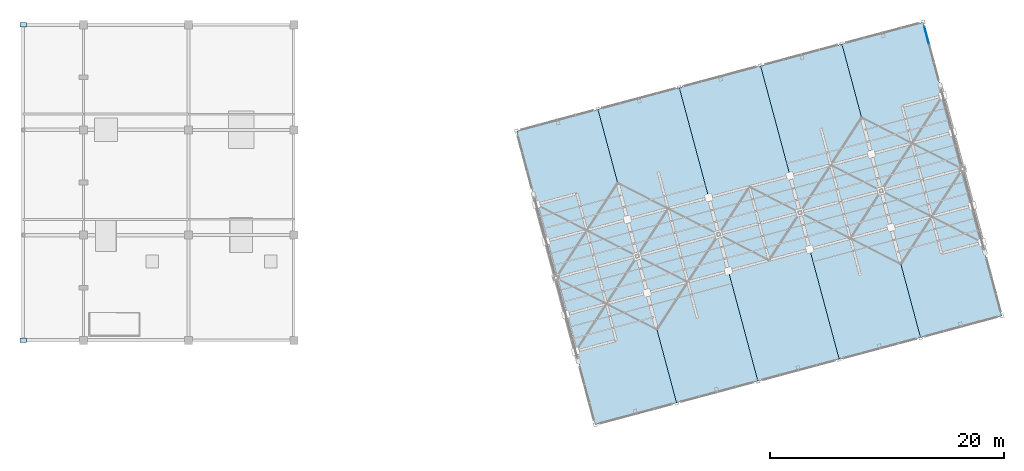
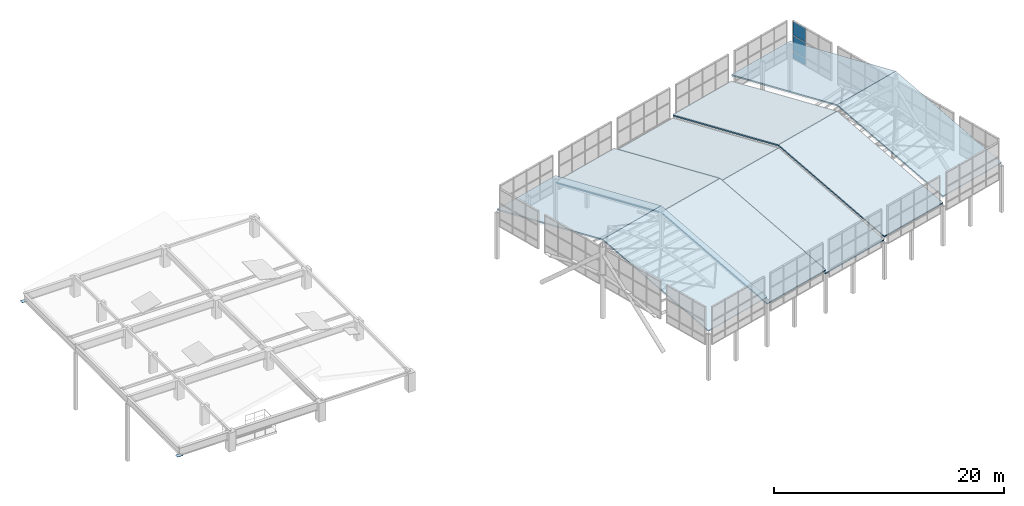
# One storey, part 27 of 28: 10 roofs, 5 plates, 1 element without a shape of its own.
"""IFC4 building model written with IfcOpenShell, lengths in metres."""

from ifc_helpers import new_model, si_unit, direction, frame, origin, origin_2d, place, context, subcontext, project, spatial, polyline, rectangle, outline, extrude, material, layer, layer_set, type_object, element, aggregate, save


model = new_model("IFC4")

# Units and contexts
model_context = context("Model", 3, precision=1e-05, world=origin(), true_north=direction((0.0, 1.0)))
body_context = subcontext(model_context, "Body", "Model", "MODEL_VIEW")
ifc_project = project(units=[si_unit("LENGTHUNIT", "METRE"), si_unit("AREAUNIT", "SQUARE_METRE"), si_unit("VOLUMEUNIT", "CUBIC_METRE"), si_unit("PLANEANGLEUNIT", "RADIAN"), si_unit("MASSUNIT", "GRAM", prefix="KILO")], contexts=[model_context])

# Site, building, storey
site_placement = place(None, origin())
site = spatial("IfcSite", under=ifc_project, at=site_placement, CompositionType="ELEMENT")
building_placement = place(site_placement, origin())
building = spatial("IfcBuilding", under=site, at=building_placement, Name="Ventoquebrada Cableway Terminal", CompositionType="ELEMENT")
storey_placement = place(building_placement, frame((0.0, 0.0, 23.39990234375)))
storey = spatial("IfcBuildingStorey", under=building, at=storey_placement, Name="RF", CompositionType="ELEMENT", Elevation=23.39990234375)

# Curtain wall, plates
ifc_material_1 = material(Name="Anodized thermally-broken aluminium", Category="aluminium")
ifc_layer_1 = layer(ifc_material_1, 0.159912109375)
ifc_layer_set_1 = layer_set([ifc_layer_1], Name="Anodized thermally-broken aluminium")
curtain_wall_type = type_object("IfcCurtainWallType", Name="CW-T49", PredefinedType="USERDEFINED", material=ifc_layer_set_1)
curtain_wall_placement = place(storey_placement, origin())
curtain_wall = element("IfcCurtainWall", 1, at=curtain_wall_placement, inside=storey, type_object=curtain_wall_type, Name="Unitised glazed curtain wall CW-168", ObjectType="UNITISED CURTAIN WALL", PredefinedType="USERDEFINED")
ifc_material_2 = material(Name="Double low-e laminated safety glazing", Category="glass")
ifc_layer_2 = layer(ifc_material_2, 0.031982421875)
ifc_layer_set_2 = layer_set([ifc_layer_2], Name="Double low-e laminated safety glazing")
plate_type_1 = type_object("IfcPlateType", Name="CWP-GL1", PredefinedType="CURTAIN_PANEL", material=ifc_layer_set_2)
plate_1_placement = place(storey_placement, frame((80.324951171875, 103.087890625, 2.48876953125), z_axis=(0.0, 0.0, 1.0), x_axis=(-0.258717892168, 0.96595292446, 0.0)))
plate_1 = element("IfcPlate", 2, at=plate_1_placement, type_object=plate_type_1, Name="Vision glazing panel PN-1746", PredefinedType="CURTAIN_PANEL", context=body_context, shape_type="SweptSolid", body=[
    extrude(rectangle(XDim=1.52099609375, YDim=0.031982421875, at=origin_2d()), origin(), (0.0, 0.0, 1.0), 1.447021484375),
])
ifc_layer_3 = layer(ifc_material_2, 0.0380859375)
ifc_layer_set_3 = layer_set([ifc_layer_3], Name="Double low-e laminated safety glazing")
plate_type_2 = type_object("IfcPlateType", Name="CWP-GL2", PredefinedType="CURTAIN_PANEL", material=ifc_layer_set_3)
plate_2_placement = place(storey_placement, frame((80.324951171875, 103.087890625, 0.82470703125), z_axis=(0.0, 0.0, 1.0), x_axis=(-0.258717892168, 0.96595292446, 0.0)))
plate_2 = element("IfcPlate", 3, at=plate_2_placement, type_object=plate_type_2, Name="Vision glazing panel PN-1745", PredefinedType="CURTAIN_PANEL", context=body_context, shape_type="SweptSolid", body=[
    extrude(rectangle(XDim=1.52099609375, YDim=0.0380859375, at=origin_2d()), origin(), (0.0, 0.0, 1.0), 1.60498046875),
])
ifc_material_3 = material(Name="Insulated aluminium spandrel cassette", Category="aluminium")
ifc_layer_4 = layer(ifc_material_3, 0.044921875)
ifc_layer_set_4 = layer_set([ifc_layer_4], Name="Insulated aluminium spandrel cassette")
plate_type_3 = type_object("IfcPlateType", Name="CWP-SP1", PredefinedType="CURTAIN_PANEL", material=ifc_layer_set_4)
plate_3_placement = place(storey_placement, frame((80.324951171875, 103.087890625, 0.01025390625), z_axis=(0.0, 0.0, 1.0), x_axis=(-0.258717892168, 0.96595292446, 0.0)))
plate_3 = element("IfcPlate", 4, at=plate_3_placement, type_object=plate_type_3, Name="Insulated spandrel panel PN-1744", PredefinedType="CURTAIN_PANEL", context=body_context, shape_type="SweptSolid", body=[
    extrude(rectangle(XDim=1.52099609375, YDim=0.044921875, at=origin_2d()), origin(), (0.0, 0.0, 1.0), 0.756103515625),
])
aggregate(curtain_wall, [plate_3, plate_2, plate_1])

# Plates
ifc_material_4 = material(Name="Steel ASTM A572 Grade 50", Category="steel")
ifc_layer_5 = layer(ifc_material_4, 0.02001953125)
ifc_layer_set_5 = layer_set([ifc_layer_5], Name="Steel ASTM A572 Grade 50")
plate_type_4 = type_object("IfcPlateType", Name="GP-PL01", PredefinedType="USERDEFINED", material=ifc_layer_set_5)
for number, where, z_axis, x_axis, name in (
    (5, (3.050048828125, 77.0, 1.14404296875), (0.0, 0.0, 1.0), (1.0, 0.0, 0.0), "Raker strut connection plate GP-084"),
    (6, (3.050048828125, 104.0, 1.14404296875), (0.0, 0.0, 1.0), (1.0, 0.0, 0.0), "Raker strut connection plate GP-086"),
):
    element("IfcPlate", number, at=place(storey_placement, frame(where, z_axis=z_axis, x_axis=x_axis)), inside=storey, type_object=plate_type_4, Name=name, ObjectType="GUSSET PLATE", PredefinedType="USERDEFINED", context=body_context, shape_type="SweptSolid", body=[
        extrude(rectangle(XDim=0.550048828125, YDim=0.39990234375, at=origin_2d()), origin(), (0.0, 0.0, 1.0), 0.02001953125),
    ])

# Roofs
ifc_material_5 = material(Name="Standing-seam zinc-titanium roofing")
ifc_layer_6 = layer(ifc_material_5, 0.139892578125)
ifc_layer_set_6 = layer_set([ifc_layer_6], Name="Standing-seam zinc-titanium roofing")
roof_type = type_object("IfcRoofType", Name="RF-GS01", PredefinedType="FREEFORM", material=ifc_layer_set_6)
roof_1_placement = place(storey_placement, frame((51.96923828125, 69.816650390625, 1.494384765625), z_axis=(0.062620506761, -0.233651996938, 0.970301714138), x_axis=(0.96591172503, 0.258871665986, 0.0)))
element("IfcRoof", 7, at=roof_1_placement, inside=storey, type_object=roof_type, Name="Saddle gridshell roof shell facet RF-GS-01-1", PredefinedType="FREEFORM", context=body_context, shape_type="SweptSolid", body=[
    extrude(outline(polyline([(0.0, 0.0), (7.20053183409326, 2.220446049250313e-16), (7.200933192058639, 13.3980786407222), (0.00040135796537963433, 13.3980786407222), (0.0, 0.0)])), origin(), (0.0, 0.0, 1.0), 0.139892578125),
])
roof_2_placement = place(storey_placement, frame((48.621826171875, 82.308349609375, 4.7353515625), z_axis=(-0.062627133853, 0.233656217601, 0.970300270062), x_axis=(0.965911392582, 0.258872906371, 5.150913e-06)))
element("IfcRoof", 8, at=roof_2_placement, inside=storey, type_object=roof_type, Name="Saddle gridshell roof shell facet RF-GS-01-2", PredefinedType="FREEFORM", context=body_context, shape_type="SweptSolid", body=[
    extrude(outline(polyline([(0.0, 0.0), (7.2005318339918, 0.0), (7.200634172777527, 13.397911149965832), (0.001281429841124957, 13.397604529790756), (0.0, 0.0)])), origin(), (0.0, 0.0, 1.0), 0.139892578125),
])
roof_3_placement = place(storey_placement, frame((58.92431640625, 71.6806640625, 0.803466796875), z_axis=(0.062596620047, -0.233660689562, 0.970301162172), x_axis=(0.965934542987, 0.258786511718, 4.119545e-06)))
element("IfcRoof", 9, at=roof_3_placement, inside=storey, type_object=roof_type, Name="Saddle gridshell roof shell facet RF-GS-02-1", PredefinedType="FREEFORM", context=body_context, shape_type="SweptSolid", body=[
    extrude(outline(polyline([(0.0, 0.0), (7.199099965533204, 0.0), (7.199311894945746, 13.397833410120429), (-0.0007313660395942995, 13.398078626737274), (0.0, 0.0)])), origin(), (0.0, 0.0, 1.0), 0.139892578125),
])
roof_4_placement = place(storey_placement, frame((55.576904296875, 84.17236328125, 4.04443359375), z_axis=(-0.062591847683, 0.233663381059, 0.970300821888), x_axis=(0.965943426508, 0.258753351253, -1.029673e-06)))
element("IfcRoof", 10, at=roof_4_placement, inside=storey, type_object=roof_type, Name="Saddle gridshell roof shell facet RF-GS-02-2", PredefinedType="FREEFORM", context=body_context, shape_type="SweptSolid", body=[
    extrude(outline(polyline([(0.0, 0.0), (7.200043265221912, -2.220446049250313e-16), (7.198792419605277, 13.397849771825229), (-0.0014866716484983745, 13.3979110679263), (0.0, 0.0)])), origin(), (0.0, 0.0, 1.0), 0.139892578125),
])
roof_5_placement = place(storey_placement, frame((65.878173828125, 73.543701171875, 0.457275390625), z_axis=(0.062621890363, -0.233656057224, 0.970300647104), x_axis=(0.965911707161, 0.258871732658, -2.76869e-07)))
element("IfcRoof", 11, at=roof_5_placement, inside=storey, type_object=roof_type, Name="Saddle gridshell roof shell facet RF-GS-03-1", PredefinedType="FREEFORM", context=body_context, shape_type="SweptSolid", body=[
    extrude(outline(polyline([(0.0, 0.0), (7.200531834092966, -6.661338147750939e-16), (7.200869990968603, 13.39784982595029), (0.0013446311337677068, 13.39783334435648), (0.0, 0.0)])), origin(), (0.0, 0.0, 1.0), 0.139892578125),
])
roof_6_placement = place(storey_placement, frame((62.53173828125, 86.035400390625, 3.6982421875), z_axis=(-0.062621890363, 0.233656057224, 0.970300647104), x_axis=(0.965911132134, 0.25887387821, -2.76908e-07)))
element("IfcRoof", 12, at=roof_6_placement, inside=storey, type_object=roof_type, Name="Saddle gridshell roof shell facet RF-GS-03-2", PredefinedType="FREEFORM", context=body_context, shape_type="SweptSolid", body=[
    extrude(outline(polyline([(0.0, 0.0), (7.199525359853701, -4.440892098500626e-16), (7.200900662127032, 13.397833341243159), (0.0003688280529341973, 13.397849825141051), (0.0, 0.0)])), origin(), (0.0, 0.0, 1.0), 0.139892578125),
])
roof_7_placement = place(storey_placement, frame((72.833251953125, 75.40771484375, 0.803466796875), z_axis=(0.062591847683, -0.233663381059, 0.970300821888), x_axis=(0.965945563826, 0.25874537237, -1.029639e-06)))
element("IfcRoof", 13, at=roof_7_placement, inside=storey, type_object=roof_type, Name="Saddle gridshell roof shell facet RF-GS-04-1", PredefinedType="FREEFORM", context=body_context, shape_type="SweptSolid", body=[
    extrude(outline(polyline([(0.0, 0.0), (7.200279091514681, 0.0), (7.198678363216417, 13.397911054784757), (-0.0013649017445958491, 13.397849760691276), (0.0, 0.0)])), origin(), (0.0, 0.0, 1.0), 0.139892578125),
])
roof_8_placement = place(storey_placement, frame((69.48583984375, 87.899169921875, 4.04443359375), z_axis=(-0.062596620047, 0.233660689562, 0.970301162172), x_axis=(0.965943094367, 0.258754591125, 4.119006e-06)))
element("IfcRoof", 14, at=roof_8_placement, inside=storey, type_object=roof_type, Name="Saddle gridshell roof shell facet RF-GS-04-2", PredefinedType="FREEFORM", context=body_context, shape_type="SweptSolid", body=[
    extrude(outline(polyline([(0.0, 0.0), (7.200043265161091, -2.220446049250313e-16), (7.19885559193152, 13.398078594058283), (-0.00024436942647917563, 13.397833409568012), (0.0, 0.0)])), origin(), (0.0, 0.0, 1.0), 0.139892578125),
])
roof_9_placement = place(storey_placement, frame((79.788330078125, 77.270751953125, 1.494384765625), z_axis=(0.062627133853, -0.233656217601, 0.970300270062), x_axis=(0.965900693821, 0.25891282249, 5.151756e-06)))
element("IfcRoof", 15, at=roof_9_placement, inside=storey, type_object=roof_type, Name="Saddle gridshell roof shell facet RF-GS-05-1", PredefinedType="FREEFORM", context=body_context, shape_type="SweptSolid", body=[
    extrude(outline(polyline([(0.0, 0.0), (7.199352749465874, 2.220446049250313e-16), (7.201204782801658, 13.397604463063715), (0.0006729553403977827, 13.397911133455956), (0.0, 0.0)])), origin(), (0.0, 0.0, 1.0), 0.139892578125),
])
roof_10_placement = place(storey_placement, frame((76.440673828125, 89.76220703125, 4.7353515625), z_axis=(-0.062620506761, 0.233651996938, 0.970301714138), x_axis=(0.96591172503, 0.258871665986, 0.0)))
element("IfcRoof", 16, at=roof_10_placement, inside=storey, type_object=roof_type, Name="Saddle gridshell roof shell facet RF-GS-05-2", PredefinedType="FREEFORM", context=body_context, shape_type="SweptSolid", body=[
    extrude(outline(polyline([(0.0, 0.0), (7.20053183409326, 2.220446049250313e-16), (7.200933192058639, 13.3980786407222), (0.00040135796537963433, 13.3980786407222), (0.0, 0.0)])), origin(), (0.0, 0.0, 1.0), 0.139892578125),
])

save(model, "model.ifc")
